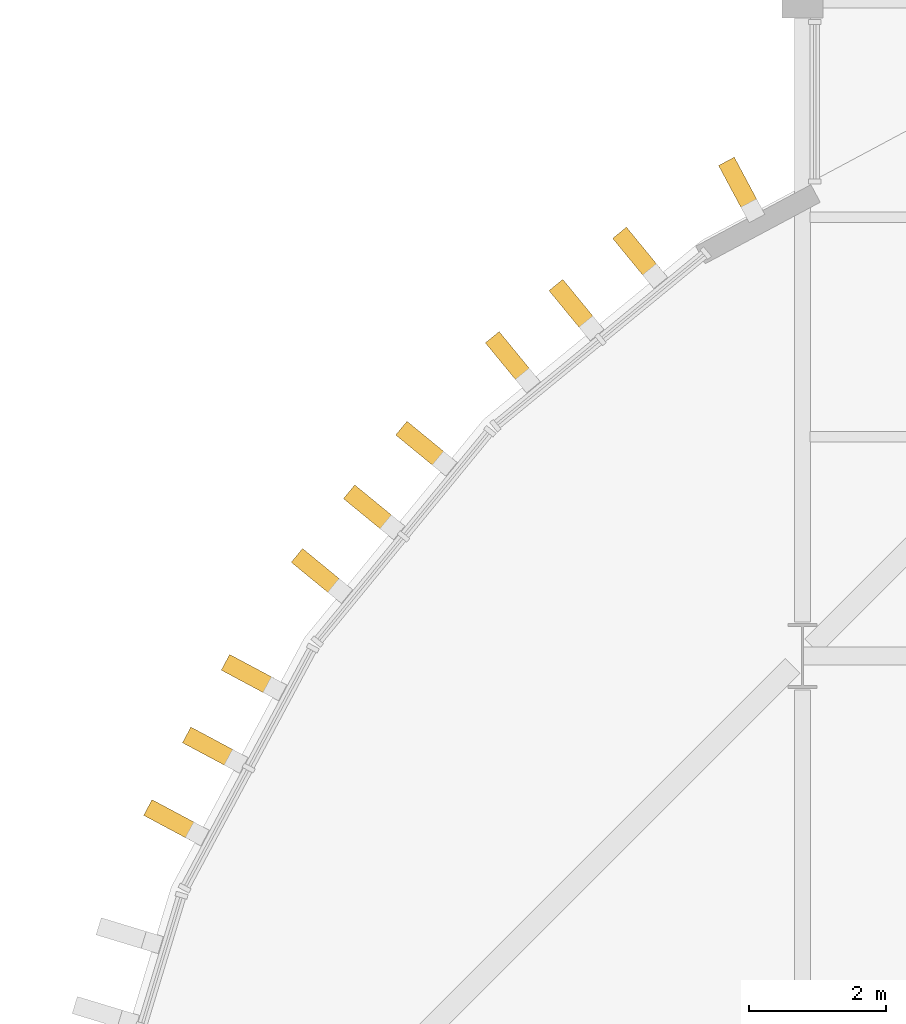
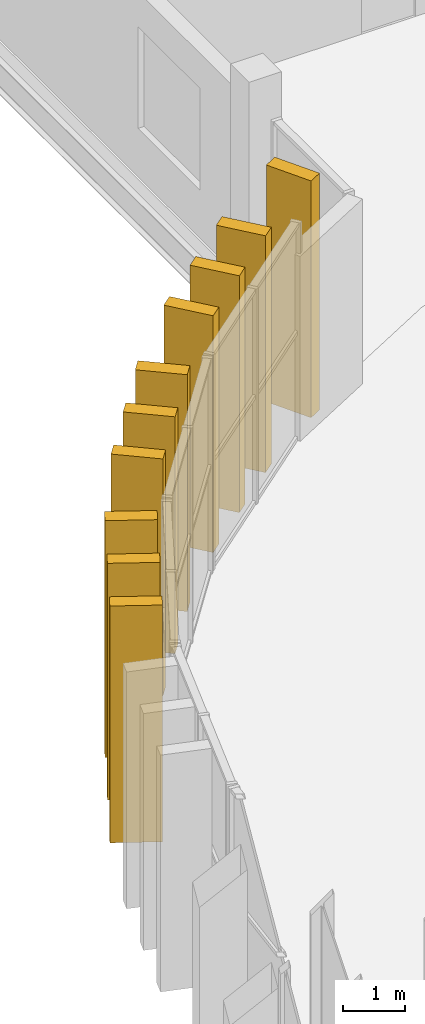
# One storey, part 66 of 75: 10 coverings.
"""IFC4 building model written with IfcOpenShell, lengths in metres."""

from ifc_helpers import new_model, si_unit, direction, frame, origin, origin_2d, place, context, subcontext, project, spatial, rectangle, extrude, material, material_profile, profile_set, type_object, element, save


model = new_model("IFC4")

# Units and contexts
model_context = context("Model", 3, precision=1e-05, world=origin(), true_north=direction((0.0, 1.0)))
body_context = subcontext(model_context, "Body", "Model", "MODEL_VIEW")
ifc_project = project(units=[si_unit("LENGTHUNIT", "METRE"), si_unit("AREAUNIT", "SQUARE_METRE"), si_unit("VOLUMEUNIT", "CUBIC_METRE"), si_unit("PLANEANGLEUNIT", "RADIAN"), si_unit("MASSUNIT", "GRAM", prefix="KILO")], contexts=[model_context])

# Site, building, storey
site_placement = place(None, origin())
site = spatial("IfcSite", under=ifc_project, at=site_placement, CompositionType="ELEMENT")
building_placement = place(site_placement, origin())
building = spatial("IfcBuilding", under=site, at=building_placement, Name="Caelomonte Colonnade Arena", CompositionType="ELEMENT")
storey_placement = place(building_placement, frame((0.0, 0.0, 14.10009765625)))
storey = spatial("IfcBuildingStorey", under=building, at=storey_placement, Name="L03", CompositionType="ELEMENT", Elevation=14.10009765625)

# Coverings
ifc_material = material(Name="Precast travertine cladding", Category="masonry")
ifc_material_profile = material_profile(ifc_material, rectangle(XDim=0.260009765625, YDim=0.85009765625, at=origin_2d()), Name="FIN260X850")
ifc_profile_set = profile_set([ifc_material_profile], Name="Precast travertine cladding")
covering_type = type_object("IfcCoveringType", Name="ENV-FN-SHAFT", PredefinedType="CLADDING", material=ifc_profile_set)
for number, where, z_axis, x_axis, name in (
    (1, (66.29150390625, 112.436767578125, -0.16015625), (0.0, 0.0, 1.0), (0.881921264348, 0.471396736826, 0.0), "V1 L03 classical travertine vertical fin 155"),
    (2, (64.802490234375, 111.44189453125, -0.16015625), (0.0, 0.0, 1.0), (0.77299384472, 0.634413521313, 0.0), "V1 L03 classical travertine vertical fin 156"),
    (3, (63.874755859375, 110.680419921875, -0.16015625), (0.0, 0.0, 1.0), (0.77299384472, 0.634413521313, 0.0), "V1 L03 classical travertine vertical fin 157"),
    (4, (62.947265625, 109.919189453125, -0.16015625), (0.0, 0.0, 1.0), (0.77299384472, 0.634413521313, 0.0), "V1 L03 classical travertine vertical fin 158"),
    (5, (61.680908203125, 108.65283203125, -0.16015625), (0.0, 0.0, 1.0), (0.634413521313, 0.77299384472, 0.0), "V1 L03 classical travertine vertical fin 159"),
    (6, (60.91943359375, 107.72509765625, -0.16015625), (0.0, 0.0, 1.0), (0.634413521313, 0.77299384472, 0.0), "V1 L03 classical travertine vertical fin 160"),
    (7, (60.158203125, 106.797607421875, -0.16015625), (0.0, 0.0, 1.0), (0.634413521313, 0.77299384472, 0.0), "V1 L03 classical travertine vertical fin 161"),
    (8, (59.1630859375, 105.30859375, -0.16015625), (0.0, 0.0, 1.0), (0.471396736826, 0.881921264348, 0.0), "V1 L03 classical travertine vertical fin 162"),
    (9, (58.597412109375, 104.250244140625, -0.16015625), (0.0, 0.0, 1.0), (0.471396736826, 0.881921264348, 0.0), "V1 L03 classical travertine vertical fin 163"),
    (10, (58.03173828125, 103.19189453125, -0.16015625), (0.0, 0.0, 1.0), (0.471396736826, 0.881921264348, 0.0), "V1 L03 classical travertine vertical fin 164"),
):
    element("IfcCovering", number, at=place(storey_placement, frame(where, z_axis=z_axis, x_axis=x_axis)), inside=storey, type_object=covering_type, Name=name, PredefinedType="CLADDING", context=body_context, shape_type="SweptSolid", body=[
        extrude(rectangle(XDim=0.260009765625, YDim=0.85009765625, at=origin_2d()), origin(), (0.0, 0.0, 1.0), 4.66015625),
    ])

save(model, "model.ifc")
